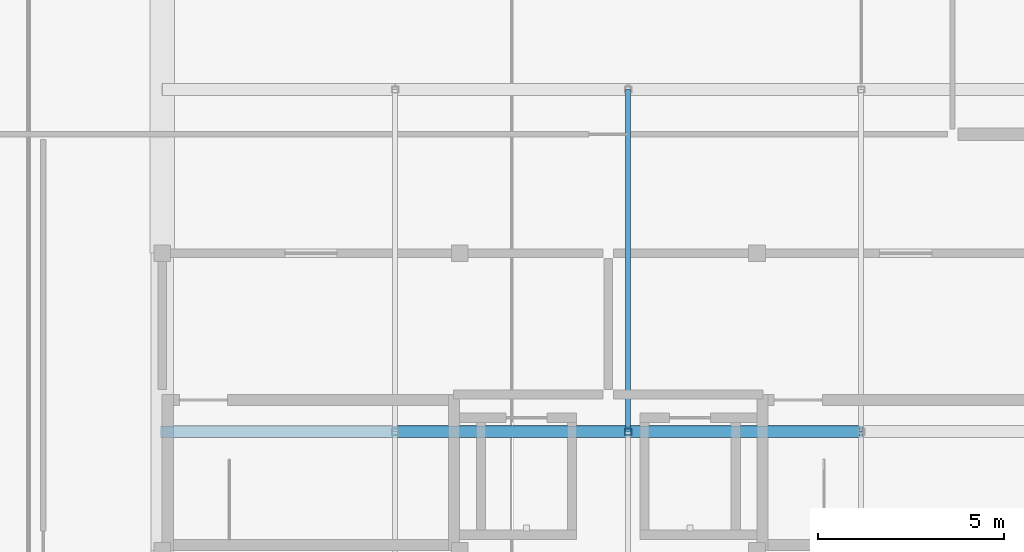
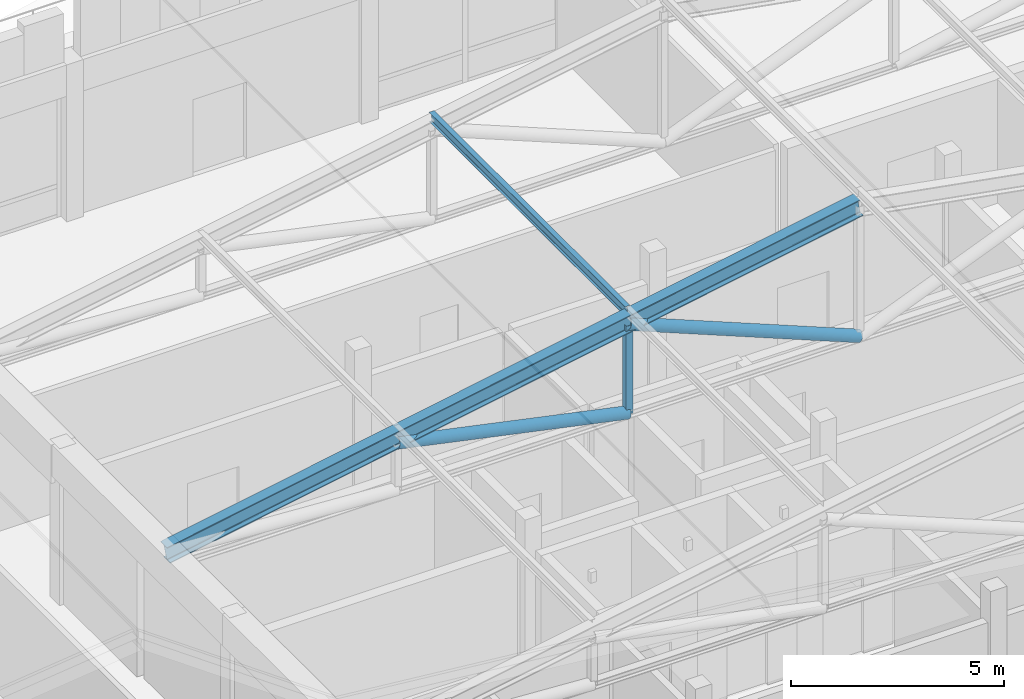
# One storey, part 7 of 24: 5 members.
"""IFC4 building model written with IfcOpenShell, lengths in metres."""

from ifc_helpers import new_model, si_unit, direction, frame, origin, origin_2d, place, context, subcontext, project, spatial, hollow_rectangle, hollow_circle, i_section, extrude, material, material_profile, profile_set, type_object, element, save


model = new_model("IFC4")

# Units and contexts
model_context = context("Model", 3, precision=1e-05, world=origin(), true_north=direction((0.0, 1.0)))
body_context = subcontext(model_context, "Body", "Model", "MODEL_VIEW")
ifc_project = project(units=[si_unit("LENGTHUNIT", "METRE"), si_unit("AREAUNIT", "SQUARE_METRE"), si_unit("VOLUMEUNIT", "CUBIC_METRE"), si_unit("PLANEANGLEUNIT", "RADIAN"), si_unit("MASSUNIT", "GRAM", prefix="KILO")], contexts=[model_context])

# Site, building, storey
site_placement = place(None, origin())
site = spatial("IfcSite", under=ifc_project, at=site_placement, CompositionType="ELEMENT")
building_placement = place(site_placement, origin())
building = spatial("IfcBuilding", under=site, at=building_placement, Name="Vellmiral Cinema and Media Centre", CompositionType="ELEMENT")
storey_placement = place(building_placement, frame((0.0, 0.0, 66.60009765625)))
storey = spatial("IfcBuildingStorey", under=building, at=storey_placement, Name="L16", CompositionType="ELEMENT", Elevation=66.60009765625)

# Members
ifc_material_1 = material(Name="Steel S355", Category="steel")
ifc_material_profile_1 = material_profile(ifc_material_1, i_section(OverallWidth=0.135009765625, OverallDepth=0.27001953125, WebThickness=0.006591796875, FlangeThickness=0.01025390625, FilletRadius=0.014892578125, at=origin_2d()), Name="IPE 270")
ifc_profile_set_1 = profile_set([ifc_material_profile_1], Name="Steel S355")
member_type_1 = type_object("IfcMemberType", Name="PRL-IPE270", PredefinedType="PURLIN", material=ifc_profile_set_1)
member_1_placement = place(storey_placement, frame((136.533447265625, 90.39990234375, 6.76611328125), z_axis=(0.0, 1.0, 0.0), x_axis=(-1.0, 0.0, 0.0)))
element("IfcMember", 1, at=member_1_placement, inside=storey, type_object=member_type_1, Name="Roof Purlin VR-CROWN.2.2", PredefinedType="PURLIN", context=body_context, shape_type="SweptSolid", body=[
    extrude(i_section(OverallWidth=0.135009765625, OverallDepth=0.27001953125, WebThickness=0.006591796875, FlangeThickness=0.01025390625, FilletRadius=0.014892578125, at=origin_2d()), origin(), (0.0, 0.0, 1.0), 9.2001953125),
])
ifc_material_2 = material(Name="Steel S355", Category="steel")
ifc_material_profile_2 = material_profile(ifc_material_2, hollow_circle(Radius=0.161865234375, WallThickness=0.012451171875, at=origin_2d()), Name="CHS 323.9x12.5")
ifc_profile_set_2 = profile_set([ifc_material_profile_2], Name="Steel S355")
member_type_2 = type_object("IfcMemberType", Name="TBR-CHS324", PredefinedType="BRACE", material=ifc_profile_set_2)
member_2_placement = place(storey_placement, frame((130.2666015625, 90.39990234375, 5.177978515625), z_axis=(0.978272320026, 0.0, -0.207324064862), x_axis=(0.0, 1.0, 0.0)))
element("IfcMember", 2, at=member_2_placement, inside=storey, type_object=member_type_2, Name="Roof Truss TR-10.2 Diagonal 2", PredefinedType="BRACE", context=body_context, shape_type="SweptSolid", body=[
    extrude(hollow_circle(Radius=0.161865234375, WallThickness=0.012451171875, at=origin_2d()), origin(), (0.0, 0.0, 1.0), 6.406005859375),
])
member_3_placement = place(storey_placement, frame((136.533447265625, 90.39990234375, 6.39599609375), z_axis=(0.926449270601, 0.0, -0.376419644815), x_axis=(0.0, 1.0, 0.0)))
element("IfcMember", 3, at=member_3_placement, inside=storey, type_object=member_type_2, Name="Roof Truss TR-10.2 Diagonal 3", PredefinedType="BRACE", context=body_context, shape_type="SweptSolid", body=[
    extrude(hollow_circle(Radius=0.161865234375, WallThickness=0.012451171875, at=origin_2d()), origin(), (0.0, 0.0, 1.0), 6.76416015625),
])
ifc_material_3 = material(Name="Steel S355", Category="steel")
ifc_material_profile_3 = material_profile(ifc_material_3, hollow_rectangle(XDim=0.179931640625, YDim=0.179931640625, WallThickness=0.010009765625, at=origin_2d()), Name="SHS 180x180x10.0")
ifc_profile_set_3 = profile_set([ifc_material_profile_3], Name="Steel S355")
member_type_3 = type_object("IfcMemberType", Name="TBR-SHS180", PredefinedType="BRACE", material=ifc_profile_set_3)
member_4_placement = place(storey_placement, frame((136.533447265625, 90.39990234375, 3.849853515625), z_axis=(0.0, 0.0, 1.0), x_axis=(1.0, 0.0, 0.0)))
element("IfcMember", 4, at=member_4_placement, inside=storey, type_object=member_type_3, Name="Roof Truss TR-10.2 Post 2", PredefinedType="BRACE", context=body_context, shape_type="SweptSolid", body=[
    extrude(hollow_rectangle(XDim=0.179931640625, YDim=0.179931640625, WallThickness=0.010009765625, at=origin_2d()), origin(), (0.0, 0.0, 1.0), 2.546142578125),
])
ifc_material_4 = material(Name="Steel S355", Category="steel")
ifc_material_profile_4 = material_profile(ifc_material_4, i_section(OverallWidth=0.300048828125, OverallDepth=0.489990234375, WebThickness=0.011962890625, FlangeThickness=0.02294921875, FilletRadius=0.027099609375, at=origin_2d()), Name="HEA 500")
ifc_profile_set_4 = profile_set([ifc_material_profile_4], Name="Steel S355")
member_type_4 = type_object("IfcMemberType", Name="TCH-HEA500", PredefinedType="CHORD", material=ifc_profile_set_4)
member_5_placement = place(storey_placement, frame((124.0, 90.39990234375, 4.224853515625), z_axis=(0.984134042087, 0.0, 0.177426568486), x_axis=(0.0, 1.0, 0.0)))
element("IfcMember", 5, at=member_5_placement, inside=storey, type_object=member_type_4, Name="Roof Truss TR-10.2 Top Chord W", PredefinedType="CHORD", context=body_context, shape_type="SweptSolid", body=[
    extrude(i_section(OverallWidth=0.300048828125, OverallDepth=0.489990234375, WebThickness=0.011962890625, FlangeThickness=0.02294921875, FilletRadius=0.027099609375, at=origin_2d()), origin(), (0.0, 0.0, 1.0), 19.10302734375),
])

save(model, "model.ifc")
